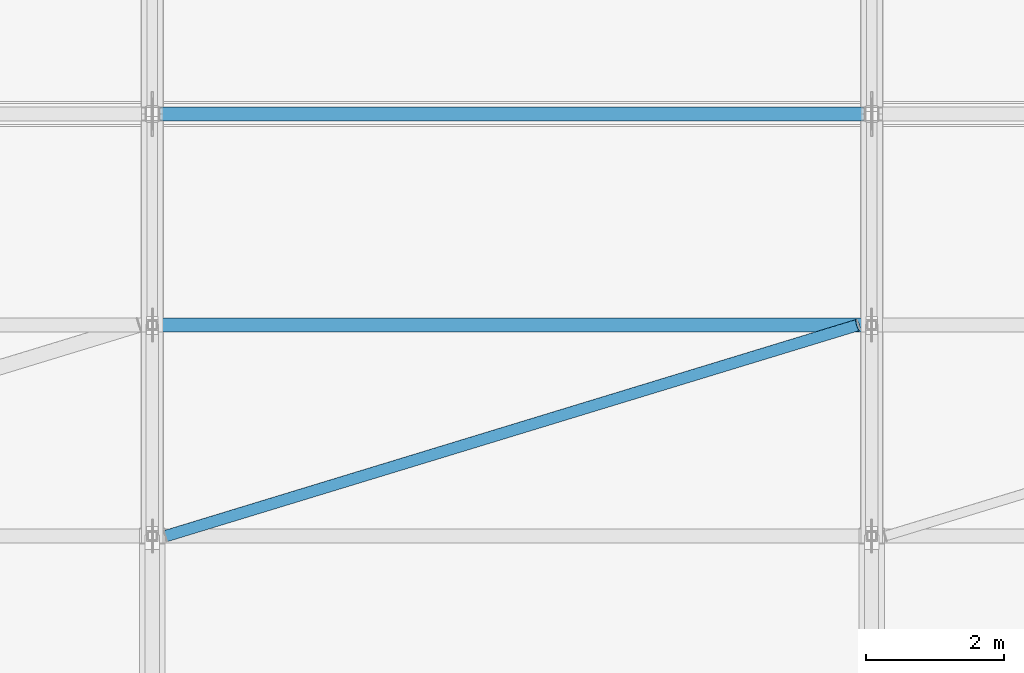
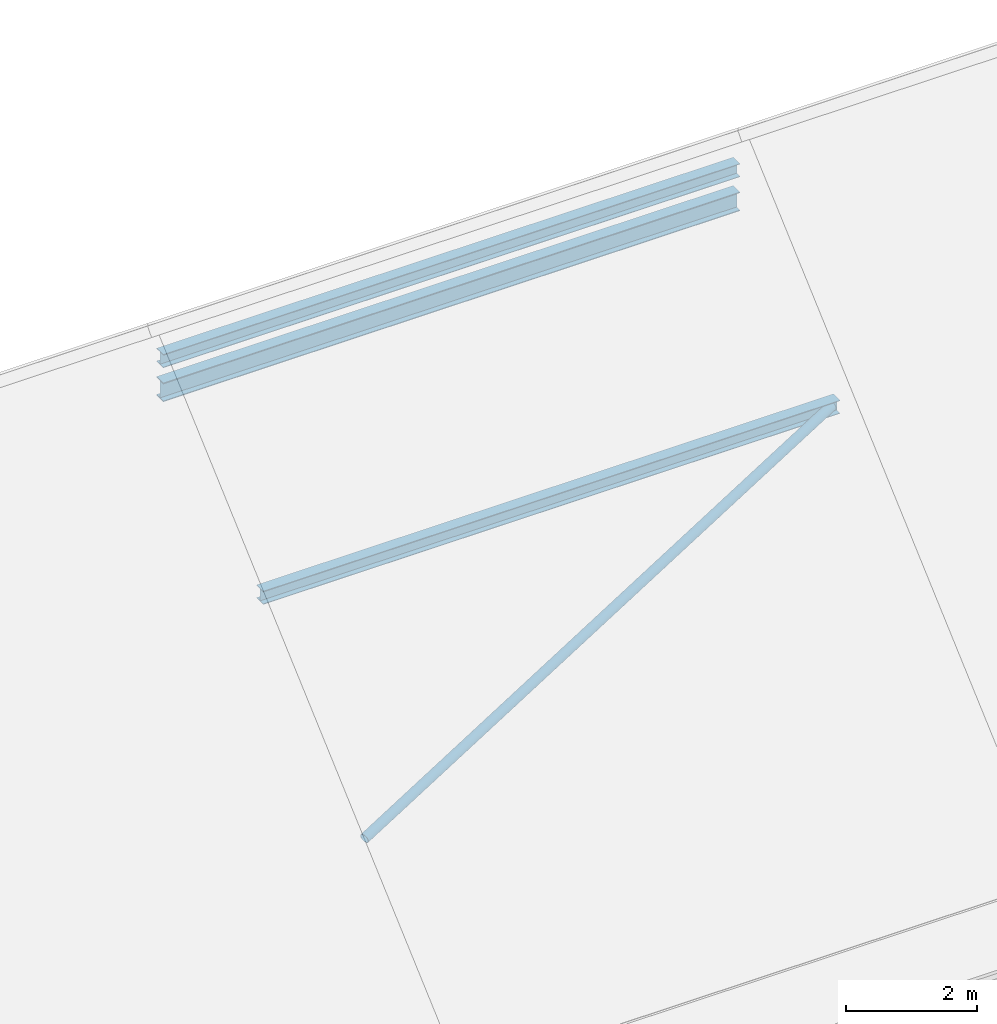
# One storey, part 14 of 86: 2 beams, 2 members.
"""IFC4 building model written with IfcOpenShell, lengths in metres."""

from ifc_helpers import new_model, si_unit, derived_unit, direction, frame, origin, origin_2d, place, context, subcontext, project, spatial, hollow_circle, i_section, extrude, material, material_profile, profile_set, type_object, element, save


model = new_model("IFC4")

# Units and contexts
model_context = context("Model", 3, precision=1e-05, world=origin(), true_north=direction((0.0, 1.0)))
body_context = subcontext(model_context, "Body", "Model", "MODEL_VIEW")
ifc_project = project(units=[si_unit("LENGTHUNIT", "METRE"), si_unit("AREAUNIT", "SQUARE_METRE"), si_unit("VOLUMEUNIT", "CUBIC_METRE"), si_unit("PLANEANGLEUNIT", "RADIAN"), si_unit("MASSUNIT", "GRAM", prefix="KILO"), derived_unit("THERMALTRANSMITTANCEUNIT", [(si_unit("POWERUNIT", "WATT"), 1), (si_unit("LENGTHUNIT", "METRE"), -2), (si_unit("THERMODYNAMICTEMPERATUREUNIT", "KELVIN"), -1)])], contexts=[model_context])

# Site, building, storey
site_placement = place(None, origin())
site = spatial("IfcSite", under=ifc_project, at=site_placement, CompositionType="ELEMENT")
building_placement = place(site_placement, origin())
building = spatial("IfcBuilding", under=site, at=building_placement, Name="Braskholm Square Health Centre", CompositionType="ELEMENT")
storey_placement = place(building_placement, frame((0.0, 0.0, 13.5)))
storey = spatial("IfcBuildingStorey", under=building, at=storey_placement, Name="L04", CompositionType="ELEMENT", Elevation=13.5)

# Member
ifc_material_1 = material(Name="Steel ASTM A500 Grade C", Category="steel")
ifc_material_profile_1 = material_profile(ifc_material_1, hollow_circle(Radius=0.084228515625, WallThickness=0.00732421875, at=origin_2d()), Name="HSS6.625X0.312")
ifc_profile_set_1 = profile_set([ifc_material_profile_1], Name="Steel ASTM A500 Grade C")
member_type_1 = type_object("IfcMemberType", Name="RoofPlanBraceCHS168", PredefinedType="BRACE", material=ifc_profile_set_1)
member_1_placement = place(storey_placement, frame((58.199951171875, 91.5, 2.402099609375), z_axis=(0.925704815743, 0.282344488845, 0.251698596995), x_axis=(-0.291736758099, 0.956498648182, 0.0)))
element("IfcMember", 1, at=member_1_placement, inside=storey, type_object=member_type_1, Name="ROOF TRUSS slope brace South Bay 2", PredefinedType="BRACE", context=body_context, shape_type="SweptSolid", body=[
    extrude(hollow_circle(Radius=0.084228515625, WallThickness=0.00732421875, at=origin_2d()), origin(), (0.0, 0.0, 1.0), 10.802490234375),
])

# Beams
ifc_material_2 = material(Name="Steel ASTM A992 Grade 50", Category="steel")
ifc_material_profile_2 = material_profile(ifc_material_2, i_section(OverallWidth=0.201904296875, OverallDepth=0.2470703125, WebThickness=0.00732421875, FlangeThickness=0.010986328125, at=origin_2d()), Name="W10X33")
ifc_profile_set_2 = profile_set([ifc_material_profile_2], Name="Steel ASTM A992 Grade 50")
beam_type = type_object("IfcBeamType", Name="RoofPurlinJoistW10X33", PredefinedType="JOIST", material=ifc_profile_set_2)
for number, where, z_axis, x_axis, name in (
    (2, (58.1201171875, 94.550048828125, 5.12109375), (1.0, 0.0, 0.0), (0.0, 1.0, 0.0), "ROOF TRUSS purlin joist 007"),
    (3, (58.1201171875, 97.60009765625, 7.679931640625), (1.0, 0.0, 0.0), (0.0, 1.0, 0.0), "ROOF TRUSS purlin joist 008"),
):
    element("IfcBeam", number, at=place(storey_placement, frame(where, z_axis=z_axis, x_axis=x_axis)), inside=storey, type_object=beam_type, Name=name, PredefinedType="JOIST", context=body_context, shape_type="SweptSolid", body=[
        extrude(i_section(OverallWidth=0.201904296875, OverallDepth=0.2470703125, WebThickness=0.00732421875, FlangeThickness=0.010986328125, at=origin_2d()), origin(), (0.0, 0.0, 1.0), 10.159912109375),
    ])

# Member
ifc_material_profile_3 = material_profile(ifc_material_2, i_section(OverallWidth=0.2041015625, OverallDepth=0.35009765625, WebThickness=0.008544921875, FlangeThickness=0.01513671875, at=origin_2d()), Name="W14X48")
ifc_profile_set_3 = profile_set([ifc_material_profile_3], Name="Steel ASTM A992 Grade 50")
member_type_2 = type_object("IfcMemberType", Name="TrussBottomChordW14X48", PredefinedType="CHORD", material=ifc_profile_set_3)
member_2_placement = place(storey_placement, frame((58.1201171875, 97.60009765625, 7.10009765625), z_axis=(1.0, 0.0, 0.0), x_axis=(0.0, 1.0, 0.0)))
element("IfcMember", 4, at=member_2_placement, inside=storey, type_object=member_type_2, Name="ROOF TRUSS ridge tie strut Bay 2", PredefinedType="CHORD", context=body_context, shape_type="SweptSolid", body=[
    extrude(i_section(OverallWidth=0.2041015625, OverallDepth=0.35009765625, WebThickness=0.008544921875, FlangeThickness=0.01513671875, at=origin_2d()), origin(), (0.0, 0.0, 1.0), 10.159912109375),
])

save(model, "model.ifc")
